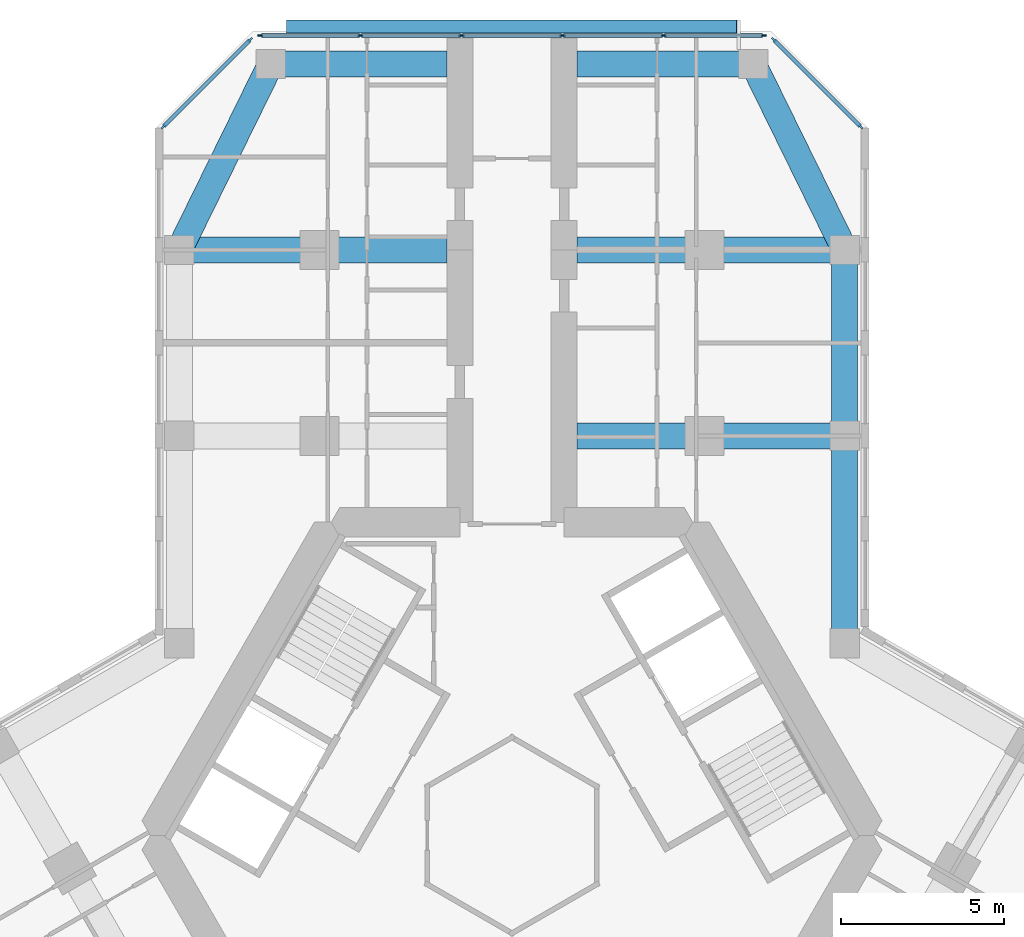
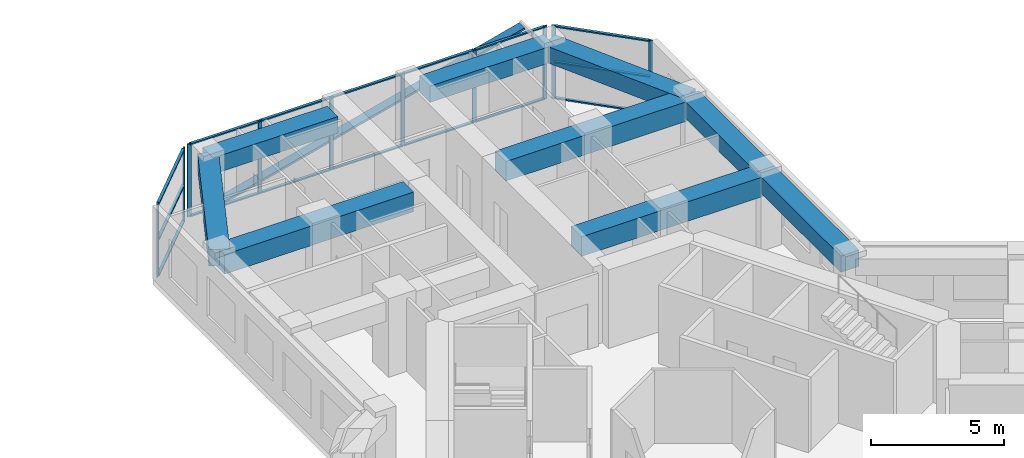
# One storey, part 7 of 19: 27 members, 9 beams, 3 elements without a shape of their own.
"""IFC4 building model written with IfcOpenShell, lengths in metres."""

import ifcopenshell
import ifcopenshell.guid

model = None  # the IFC model being written
_history = None  # IfcOwnerHistory: only IFC2X3 demands one
_inside = {}  # id of a spatial element -> (the spatial element, [elements in it])
_under = {}  # id of a project, library or spatial element -> (it, [spatial elements below it])
_declared = {}  # id of a project -> (the project, [libraries it declares])
_typed = {}  # id of a type object -> (the type object, [elements of that type])
_made_of = {}  # id of a material, layer set ... -> (it, [elements and type objects made of it])


def new_model(schema):
    """Start an empty IFC model of exactly this schema.

    Asked for "IFC4X3", IfcOpenShell would pick the latest addendum, in which some entities
    have other attributes; the version numbers below select the first issue.
    IFC2X3 requires an IfcOwnerHistory on every rooted entity: one is made here for all.
    """
    global model, _history
    if schema == "IFC4X3":
        model = ifcopenshell.file(schema_version=(4, 3, 0, 0))
    else:
        model = ifcopenshell.file(schema=schema)
    _inside.clear()
    _under.clear()
    _declared.clear()
    _typed.clear()
    _made_of.clear()
    _history = None
    if model.schema == "IFC2X3":
        org = make("IfcOrganization", Name="unknown")
        user = make(
            "IfcPersonAndOrganization",
            ThePerson=make("IfcPerson", FamilyName="unknown"),
            TheOrganization=org,
        )
        app = make(
            "IfcApplication",
            ApplicationDeveloper=org,
            Version="unknown",
            ApplicationFullName="unknown",
            ApplicationIdentifier="unknown",
        )
        _history = make(
            "IfcOwnerHistory",
            OwningUser=user,
            OwningApplication=app,
            ChangeAction="ADDED",
            CreationDate=0,
        )
    return model


def make(cls, **values):
    """One entity of the class cls with the attributes given. An attribute that is None is left unset."""
    return model.create_entity(
        cls, **{name: value for name, value in values.items() if value is not None}
    )


def rooted(cls, **values):
    """An entity with a GlobalId (a new one), such as an element, a storey or a relation."""
    return make(cls, GlobalId=ifcopenshell.guid.new(), OwnerHistory=_history, **values)


def si_unit(unit_type, name, prefix=None):
    """IfcSIUnit, for example si_unit("LENGTHUNIT", "METRE", prefix="MILLI")."""
    return make("IfcSIUnit", UnitType=unit_type, Prefix=prefix, Name=name)


def assignment(units):
    """IfcUnitAssignment: the units of a project."""
    return None if units is None else make("IfcUnitAssignment", Units=units)


def point(xyz):
    """IfcCartesianPoint."""
    return None if xyz is None else make("IfcCartesianPoint", Coordinates=xyz)


def direction(xyz):
    """IfcDirection."""
    return None if xyz is None else make("IfcDirection", DirectionRatios=xyz)


def frame(location, z_axis=None, x_axis=None):
    """IfcAxis2Placement3D, a coordinate frame: its origin and axes. An axis left out is left unset."""
    return make(
        "IfcAxis2Placement3D",
        Location=point(location),
        Axis=direction(z_axis),
        RefDirection=direction(x_axis),
    )


def frame_2d(location, x_axis=None):
    """IfcAxis2Placement2D, a coordinate frame in the plane: its origin and x axis."""
    return make(
        "IfcAxis2Placement2D", Location=point(location), RefDirection=direction(x_axis)
    )


def origin():
    """The frame at (0, 0, 0) with its axes left unset."""
    return frame((0.0, 0.0, 0.0))


def origin_2d():
    """The frame at (0, 0) in the plane with its x axis left unset."""
    return frame_2d((0.0, 0.0))


def place(relative_to, where):
    """IfcLocalPlacement: puts the frame where relative to a parent placement (None: the world)."""
    return make(
        "IfcLocalPlacement", PlacementRelTo=relative_to, RelativePlacement=where
    )


def context(
    kind, dimensions, precision=None, world=None, true_north=None, identifier=None
):
    """IfcGeometricRepresentationContext, for example the 3D "Model" context."""
    return make(
        "IfcGeometricRepresentationContext",
        ContextIdentifier=identifier,
        ContextType=kind,
        CoordinateSpaceDimension=dimensions,
        Precision=precision,
        WorldCoordinateSystem=world,
        TrueNorth=true_north,
    )


def subcontext(parent, identifier, kind, view, scale=None):
    """IfcGeometricRepresentationSubContext, for example "Body" below "Model"."""
    return make(
        "IfcGeometricRepresentationSubContext",
        ContextIdentifier=identifier,
        ContextType=kind,
        ParentContext=parent,
        TargetScale=scale,
        TargetView=view,
    )


def project(units=None, contexts=None):
    """IfcProject with its units and contexts."""
    return rooted(
        "IfcProject",
        Name="project",
        RepresentationContexts=contexts,
        UnitsInContext=assignment(units),
    )


def spatial(cls, under=None, at=None, **own):
    """A site, building, storey or space (cls), placed at a placement, below another one or the project."""
    s = rooted(cls, ObjectPlacement=at, **own)
    if under is not None:
        _under.setdefault(under.id(), (under, []))[1].append(s)
    return s


def profile(cls, at=None, kind="AREA", **sizes):
    """A parametric profile (cls). Its sizes go by their IFC names, for example OverallWidth=200.0."""
    return make(cls, ProfileType=kind, Position=at, **sizes)


def rectangle(**sizes):
    """IfcRectangleProfileDef."""
    return profile("IfcRectangleProfileDef", **sizes)


def extrude(swept, where, along, depth):
    """IfcExtrudedAreaSolid: the profile swept, set in the frame where, extruded along a direction by depth."""
    return make(
        "IfcExtrudedAreaSolid",
        SweptArea=swept,
        Position=where,
        ExtrudedDirection=direction(along),
        Depth=depth,
    )


def shape(context_of_items, identifier, shape_type, items):
    """IfcShapeRepresentation: the items that make up one representation, for example the "Body"."""
    return make(
        "IfcShapeRepresentation",
        ContextOfItems=context_of_items,
        RepresentationIdentifier=identifier,
        RepresentationType=shape_type,
        Items=items,
    )


def material(Name=None, Category=None):
    """IfcMaterial."""
    return make("IfcMaterial", Name=Name, Category=Category)


def material_profile(
    of_material, cross_section, Name=None, Category=None, Priority=None
):
    """IfcMaterialProfile: a cross section and its material."""
    return make(
        "IfcMaterialProfile",
        Name=Name,
        Material=of_material,
        Profile=cross_section,
        Priority=Priority,
        Category=Category,
    )


def profile_set(profiles, Name=None, composite=None):
    """IfcMaterialProfileSet."""
    return make(
        "IfcMaterialProfileSet",
        Name=Name,
        MaterialProfiles=profiles,
        CompositeProfile=composite,
    )


def made_of(thing, what):
    """Note that an element or type object is made of a material, layer set ...; save() writes the relation."""
    if what is not None:
        _made_of.setdefault(what.id(), (what, []))[1].append(thing)
    return thing


def type_object(cls, material=None, **own):
    """A type object (cls), such as IfcWallType, which elements share."""
    return made_of(rooted(cls, **own), material)


def element(
    cls,
    number,
    at=None,
    inside=None,
    cuts=None,
    type_object=None,
    material=None,
    context=None,
    identifier="Body",
    shape_type=None,
    held_by="IfcProductDefinitionShape",
    body=None,
    shapes=None,
    **own,
):
    """One element of the class cls, such as IfcWall. Its Tag is "e" and its number.

    at: its placement. inside: the storey or other place that contains it. cuts: it is an
    opening in that element (IfcRelVoidsElement). A single representation is given by context,
    identifier, shape_type and body (its items); several are given by shapes. held_by: the class
    of the entity that holds the representations. save() writes the other relations.
    """
    e = rooted(cls, Tag="e%d" % number, ObjectPlacement=at, **own)
    if body is not None:
        shapes = [shape(context, identifier, shape_type, body)]
    if shapes is not None:
        e.Representation = make(held_by, Representations=shapes)
    if inside is not None:
        _inside.setdefault(inside.id(), (inside, []))[1].append(e)
    if cuts is not None:
        rooted(
            "IfcRelVoidsElement", RelatingBuildingElement=cuts, RelatedOpeningElement=e
        )
    if type_object is not None:
        _typed.setdefault(type_object.id(), (type_object, []))[1].append(e)
    return made_of(e, material)


def aggregate(whole, parts):
    """IfcRelAggregates: a whole, such as a stair, and the parts it consists of."""
    return rooted("IfcRelAggregates", RelatingObject=whole, RelatedObjects=parts)


def save(model, path):
    """Write the relations noted so far, then the file.

    IfcRelAggregates (storeys below a building ...), IfcRelContainedInSpatialStructure (elements
    in a storey), IfcRelDefinesByType, IfcRelAssociatesMaterial and IfcRelDeclares: one each for
    every whole, place, type object, material and project.
    """
    for whole, parts in _under.values():
        aggregate(whole, parts)
    for where, things in _inside.values():
        rooted(
            "IfcRelContainedInSpatialStructure",
            RelatedElements=things,
            RelatingStructure=where,
        )
    for kind, things in _typed.values():
        rooted("IfcRelDefinesByType", RelatedObjects=things, RelatingType=kind)
    for what, things in _made_of.values():
        rooted("IfcRelAssociatesMaterial", RelatedObjects=things, RelatingMaterial=what)
    for by, libraries in _declared.values():
        rooted("IfcRelDeclares", RelatingContext=by, RelatedDefinitions=libraries)
    model.write(path)


model = new_model("IFC4")

# Units and contexts
model_context = context("Model", 3, precision=1e-05, world=origin(), true_north=direction((0.0, 1.0)))
body_context = subcontext(model_context, "Body", "Model", "MODEL_VIEW")
ifc_project = project(units=[si_unit("LENGTHUNIT", "METRE"), si_unit("AREAUNIT", "SQUARE_METRE"), si_unit("VOLUMEUNIT", "CUBIC_METRE"), si_unit("PLANEANGLEUNIT", "RADIAN"), si_unit("MASSUNIT", "GRAM", prefix="KILO")], contexts=[model_context])

# Site, building, storey
site_placement = place(None, origin())
site = spatial("IfcSite", under=ifc_project, at=site_placement, CompositionType="ELEMENT")
building_placement = place(site_placement, origin())
building = spatial("IfcBuilding", under=site, at=building_placement, Name="Kosmar Iwan School Tower", CompositionType="ELEMENT")
storey_placement = place(building_placement, frame((0.0, 0.0, 158.0)))
storey = spatial("IfcBuildingStorey", under=building, at=storey_placement, Name="L39", CompositionType="ELEMENT", Elevation=158.0)

# Member
ifc_material_1 = material(Name="Black anodised aluminium", Category="aluminium")
ifc_material_profile_1 = material_profile(ifc_material_1, rectangle(XDim=0.10009765625, YDim=0.39990234375, at=origin_2d()), Name="FIN 100x400")
ifc_profile_set_1 = profile_set([ifc_material_profile_1], Name="Black anodised aluminium")
member_type_1 = type_object("IfcMemberType", Name="Diagonal fin 100x400", PredefinedType="USERDEFINED", material=ifc_profile_set_1)
member_1_placement = place(storey_placement, frame((-6.898193359375, 24.800048828125, -0.14990234375), z_axis=(0.967603633438, 0.0, 0.252474174041), x_axis=(-0.252474174041, 0.0, 0.967603633438)))
element("IfcMember", 1, at=member_1_placement, inside=storey, type_object=member_type_1, Name="Diagonal fin L39-F08", ObjectType="FIN", PredefinedType="USERDEFINED", context=body_context, shape_type="SweptSolid", body=[
    extrude(rectangle(XDim=0.10009765625, YDim=0.39990234375, at=origin_2d()), origin(), (0.0, 0.0, 1.0), 14.25830078125),
])

# Curtain wall, members
ifc_material_2 = material(Name="Dark glass in black aluminium frame", Category="aluminium")
curtain_wall_type_1 = type_object("IfcCurtainWallType", Name="Chamfer curtain wall dark glass", PredefinedType="USERDEFINED", material=ifc_material_2)
curtain_wall_1_placement = place(storey_placement, origin())
curtain_wall_1 = element("IfcCurtainWall", 2, at=curtain_wall_1_placement, inside=storey, type_object=curtain_wall_type_1, Name="Curtain wall L39-F07", ObjectType="FACETED CURTAIN WALL", PredefinedType="USERDEFINED")
ifc_material_3 = material(Name="Black anodised aluminium", Category="aluminium")
ifc_material_profile_2 = material_profile(ifc_material_3, rectangle(XDim=0.06005859375, YDim=0.159912109375, at=origin_2d()), Name="MULLION 60x160")
ifc_profile_set_2 = profile_set([ifc_material_profile_2], Name="Black anodised aluminium")
member_type_2 = type_object("IfcMemberType", Name="Mullion 60x160", PredefinedType="MULLION", material=ifc_profile_set_2)
member_2_placement = place(storey_placement, frame((10.69775390625, 21.7255859375, 0.0), z_axis=(0.0, 0.0, 1.0), x_axis=(-0.707106781187, -0.707106781187, 0.0)))
member_2 = element("IfcMember", 3, at=member_2_placement, type_object=member_type_2, Name="CW2 mullion 1", PredefinedType="MULLION", context=body_context, shape_type="SweptSolid", body=[
    extrude(rectangle(XDim=0.06005859375, YDim=0.159912109375, at=origin_2d()), origin(), (0.0, 0.0, 1.0), 3.35009765625),
])
member_3_placement = place(storey_placement, frame((8.025390625, 24.397705078125, 0.0), z_axis=(0.0, 0.0, 1.0), x_axis=(-0.707106781187, -0.707106781187, 0.0)))
member_3 = element("IfcMember", 4, at=member_3_placement, type_object=member_type_2, Name="CW2 mullion 2", PredefinedType="MULLION", context=body_context, shape_type="SweptSolid", body=[
    extrude(rectangle(XDim=0.06005859375, YDim=0.159912109375, at=origin_2d()), origin(), (0.0, 0.0, 1.0), 3.35009765625),
])

ifc_material_4 = material(Name="Dark glass in black aluminium frame", Category="aluminium")
curtain_wall_type_2 = type_object("IfcCurtainWallType", Name="Tower curtain wall dark glass", PredefinedType="USERDEFINED", material=ifc_material_4)
curtain_wall_2_placement = place(storey_placement, origin())
curtain_wall_2 = element("IfcCurtainWall", 5, at=curtain_wall_2_placement, inside=storey, type_object=curtain_wall_type_2, Name="Curtain wall L39-F08", ObjectType="UNITISED CURTAIN WALL", PredefinedType="USERDEFINED")
member_4_placement = place(storey_placement, frame((7.71826171875, 24.52490234375, 0.0), z_axis=(0.0, 0.0, 1.0), x_axis=(0.0, -1.0, 0.0)))
member_4 = element("IfcMember", 6, at=member_4_placement, type_object=member_type_2, Name="CW1 mullion 1", PredefinedType="MULLION", context=body_context, shape_type="SweptSolid", body=[
    extrude(rectangle(XDim=0.06005859375, YDim=0.159912109375, at=origin_2d()), origin(), (0.0, 0.0, 1.0), 3.35009765625),
])
member_5_placement = place(storey_placement, frame((4.64892578125, 24.52490234375, 0.0), z_axis=(0.0, 0.0, 1.0), x_axis=(0.0, -1.0, 0.0)))
member_5 = element("IfcMember", 7, at=member_5_placement, type_object=member_type_2, Name="CW1 mullion 2", PredefinedType="MULLION", context=body_context, shape_type="SweptSolid", body=[
    extrude(rectangle(XDim=0.06005859375, YDim=0.159912109375, at=origin_2d()), origin(), (0.0, 0.0, 1.0), 3.35009765625),
])
member_6_placement = place(storey_placement, frame((1.549560546875, 24.52490234375, 0.0), z_axis=(0.0, 0.0, 1.0), x_axis=(0.0, -1.0, 0.0)))
member_6 = element("IfcMember", 8, at=member_6_placement, type_object=member_type_2, Name="CW1 mullion 3", PredefinedType="MULLION", context=body_context, shape_type="SweptSolid", body=[
    extrude(rectangle(XDim=0.06005859375, YDim=0.159912109375, at=origin_2d()), origin(), (0.0, 0.0, 1.0), 3.35009765625),
])
member_7_placement = place(storey_placement, frame((-1.549560546875, 24.52490234375, 0.0), z_axis=(0.0, 0.0, 1.0), x_axis=(0.0, -1.0, 0.0)))
member_7 = element("IfcMember", 9, at=member_7_placement, type_object=member_type_2, Name="CW1 mullion 4", PredefinedType="MULLION", context=body_context, shape_type="SweptSolid", body=[
    extrude(rectangle(XDim=0.06005859375, YDim=0.159912109375, at=origin_2d()), origin(), (0.0, 0.0, 1.0), 3.35009765625),
])
member_8_placement = place(storey_placement, frame((-4.64892578125, 24.52490234375, 0.0), z_axis=(0.0, 0.0, 1.0), x_axis=(0.0, -1.0, 0.0)))
member_8 = element("IfcMember", 10, at=member_8_placement, type_object=member_type_2, Name="CW1 mullion 5", PredefinedType="MULLION", context=body_context, shape_type="SweptSolid", body=[
    extrude(rectangle(XDim=0.06005859375, YDim=0.159912109375, at=origin_2d()), origin(), (0.0, 0.0, 1.0), 3.35009765625),
])
member_9_placement = place(storey_placement, frame((-7.71826171875, 24.52490234375, 0.0), z_axis=(0.0, 0.0, 1.0), x_axis=(0.0, -1.0, 0.0)))
member_9 = element("IfcMember", 11, at=member_9_placement, type_object=member_type_2, Name="CW1 mullion 6", PredefinedType="MULLION", context=body_context, shape_type="SweptSolid", body=[
    extrude(rectangle(XDim=0.06005859375, YDim=0.159912109375, at=origin_2d()), origin(), (0.0, 0.0, 1.0), 3.35009765625),
])

curtain_wall_3_placement = place(storey_placement, origin())
curtain_wall_3 = element("IfcCurtainWall", 12, at=curtain_wall_3_placement, inside=storey, type_object=curtain_wall_type_1, Name="Curtain wall L39-F09", ObjectType="FACETED CURTAIN WALL", PredefinedType="USERDEFINED")
member_10_placement = place(storey_placement, frame((-8.025390625, 24.397705078125, 0.0), z_axis=(0.0, 0.0, 1.0), x_axis=(0.707106781187, -0.707106781187, 0.0)))
member_10 = element("IfcMember", 13, at=member_10_placement, type_object=member_type_2, Name="CW2 mullion 1", PredefinedType="MULLION", context=body_context, shape_type="SweptSolid", body=[
    extrude(rectangle(XDim=0.06005859375, YDim=0.159912109375, at=origin_2d()), origin(), (0.0, 0.0, 1.0), 3.35009765625),
])
member_11_placement = place(storey_placement, frame((-10.69775390625, 21.7255859375, 0.0), z_axis=(0.0, 0.0, 1.0), x_axis=(0.707106781187, -0.707106781187, 0.0)))
member_11 = element("IfcMember", 14, at=member_11_placement, type_object=member_type_2, Name="CW2 mullion 2", PredefinedType="MULLION", context=body_context, shape_type="SweptSolid", body=[
    extrude(rectangle(XDim=0.06005859375, YDim=0.159912109375, at=origin_2d()), origin(), (0.0, 0.0, 1.0), 3.35009765625),
])

# Beams
ifc_material_5 = material(Name="Concrete C50/60", Category="concrete")
ifc_material_profile_3 = material_profile(ifc_material_5, rectangle(XDim=0.800048828125, YDim=0.75, at=origin_2d()), Name="RC 800x750")
ifc_profile_set_3 = profile_set([ifc_material_profile_3], Name="Concrete C50/60")
beam_type_1 = type_object("IfcBeamType", Name="RC edge beam 800x750", PredefinedType="BEAM", material=ifc_profile_set_3)
beam_1_placement = place(storey_placement, frame((10.199951171875, 5.888916015625, 2.97509765625), z_axis=(0.0, 1.0, 0.0), x_axis=(-1.0, 0.0, 0.0)))
element("IfcBeam", 15, at=beam_1_placement, inside=storey, type_object=beam_type_1, Name="Edge beam AR1", PredefinedType="BEAM", context=body_context, shape_type="SweptSolid", body=[
    extrude(rectangle(XDim=0.800048828125, YDim=0.75, at=origin_2d()), origin(), (0.0, 0.0, 1.0), 6.361083984375),
])
beam_2_placement = place(storey_placement, frame((10.199951171875, 12.25, 2.97509765625), z_axis=(0.0, 1.0, 0.0), x_axis=(-1.0, 0.0, 0.0)))
element("IfcBeam", 16, at=beam_2_placement, inside=storey, type_object=beam_type_1, Name="Edge beam AR2", PredefinedType="BEAM", context=body_context, shape_type="SweptSolid", body=[
    extrude(rectangle(XDim=0.800048828125, YDim=0.75, at=origin_2d()), origin(), (0.0, 0.0, 1.0), 5.699951171875),
])
ifc_material_6 = material(Name="Concrete C50/60", Category="concrete")
ifc_material_profile_4 = material_profile(ifc_material_6, rectangle(XDim=0.800048828125, YDim=0.75, at=origin_2d()), Name="RC 800x750")
ifc_profile_set_4 = profile_set([ifc_material_profile_4], Name="Concrete C50/60")
beam_type_2 = type_object("IfcBeamType", Name="RC tip beam 800x750", PredefinedType="BEAM", material=ifc_profile_set_4)
beam_3_placement = place(storey_placement, frame((-10.199951171875, 17.949951171875, 2.97509765625), z_axis=(0.440913116462, 0.897549788999, 0.0), x_axis=(-0.897549788999, 0.440913116462, 0.0)))
element("IfcBeam", 17, at=beam_3_placement, inside=storey, type_object=beam_type_2, Name="Tip beam AL", PredefinedType="BEAM", context=body_context, shape_type="SweptSolid", body=[
    extrude(rectangle(XDim=0.800048828125, YDim=0.75, at=origin_2d()), origin(), (0.0, 0.0, 1.0), 6.3505859375),
])
beam_4_placement = place(storey_placement, frame((-7.39990234375, 23.64990234375, 2.97509765625), z_axis=(1.0, 0.0, 0.0), x_axis=(0.0, 1.0, 0.0)))
element("IfcBeam", 18, at=beam_4_placement, inside=storey, type_object=beam_type_2, Name="Tip beam AL to corridor wall", PredefinedType="BEAM", context=body_context, shape_type="SweptSolid", body=[
    extrude(rectangle(XDim=0.800048828125, YDim=0.75, at=origin_2d()), origin(), (0.0, 0.0, 1.0), 5.39990234375),
])
beam_5_placement = place(storey_placement, frame((10.199951171875, 17.949951171875, 2.97509765625), z_axis=(-0.440913116462, 0.897549788999, 0.0), x_axis=(-0.897549788999, -0.440913116462, 0.0)))
element("IfcBeam", 19, at=beam_5_placement, inside=storey, type_object=beam_type_2, Name="Tip beam AR", PredefinedType="BEAM", context=body_context, shape_type="SweptSolid", body=[
    extrude(rectangle(XDim=0.800048828125, YDim=0.75, at=origin_2d()), origin(), (0.0, 0.0, 1.0), 6.3505859375),
])
beam_6_placement = place(storey_placement, frame((7.39990234375, 23.64990234375, 2.97509765625), z_axis=(-1.0, 0.0, 0.0), x_axis=(0.0, -1.0, 0.0)))
element("IfcBeam", 20, at=beam_6_placement, inside=storey, type_object=beam_type_2, Name="Tip beam AR to corridor wall", PredefinedType="BEAM", context=body_context, shape_type="SweptSolid", body=[
    extrude(rectangle(XDim=0.800048828125, YDim=0.75, at=origin_2d()), origin(), (0.0, 0.0, 1.0), 5.39990234375),
])
ifc_material_7 = material(Name="Concrete C50/60", Category="concrete")
ifc_material_profile_5 = material_profile(ifc_material_7, rectangle(XDim=0.800048828125, YDim=0.89990234375, at=origin_2d()), Name="RC 800x900")
ifc_profile_set_5 = profile_set([ifc_material_profile_5], Name="Concrete C50/60")
beam_type_3 = type_object("IfcBeamType", Name="RC transverse beam 800x900", PredefinedType="BEAM", material=ifc_profile_set_5)
for number, where, z_axis, x_axis, name in (
    (21, (-10.199951171875, 17.949951171875, 2.89990234375), (1.0, 0.0, 0.0), (0.0, 1.0, 0.0), "Transverse beam AL2"),
    (22, (10.199951171875, 12.25, 2.89990234375), (-1.0, 0.0, 0.0), (0.0, -1.0, 0.0), "Transverse beam AR1"),
    (23, (10.199951171875, 17.949951171875, 2.89990234375), (-1.0, 0.0, 0.0), (0.0, -1.0, 0.0), "Transverse beam AR2"),
):
    element("IfcBeam", number, at=place(storey_placement, frame(where, z_axis=z_axis, x_axis=x_axis)), inside=storey, type_object=beam_type_3, Name=name, PredefinedType="BEAM", context=body_context, shape_type="SweptSolid", body=[
        extrude(rectangle(XDim=0.800048828125, YDim=0.89990234375, at=origin_2d()), origin(), (0.0, 0.0, 1.0), 8.199951171875),
    ])

# Member
ifc_material_8 = material(Name="Black anodised aluminium", Category="aluminium")
ifc_material_profile_6 = material_profile(ifc_material_8, rectangle(XDim=0.1201171875, YDim=0.06005859375, at=origin_2d()), Name="TRANSOM 60x120")
ifc_profile_set_6 = profile_set([ifc_material_profile_6], Name="Black anodised aluminium")
member_type_3 = type_object("IfcMemberType", Name="Transom 60x120", PredefinedType="USERDEFINED", material=ifc_profile_set_6)
member_12_placement = place(storey_placement, frame((10.676513671875, 21.746826171875, 0.030029296875), z_axis=(-0.707139603466, 0.707073957383, 0.0), x_axis=(-0.707073957383, -0.707139603466, 0.0)))
member_12 = element("IfcMember", 24, at=member_12_placement, type_object=member_type_3, Name="CW2 transom 1.1", ObjectType="TRANSOM", PredefinedType="USERDEFINED", context=body_context, shape_type="SweptSolid", body=[
    extrude(rectangle(XDim=0.1201171875, YDim=0.06005859375, at=origin_2d()), origin(), (0.0, 0.0, 1.0), 3.718994140625),
])

member_13_placement = place(storey_placement, frame((10.676513671875, 21.746826171875, 1.675048828125), z_axis=(-0.707139603466, 0.707073957383, 0.0), x_axis=(-0.707073957383, -0.707139603466, 0.0)))
member_13 = element("IfcMember", 25, at=member_13_placement, type_object=member_type_3, Name="CW2 transom 1.2", ObjectType="TRANSOM", PredefinedType="USERDEFINED", context=body_context, shape_type="SweptSolid", body=[
    extrude(rectangle(XDim=0.1201171875, YDim=0.06005859375, at=origin_2d()), origin(), (0.0, 0.0, 1.0), 3.718994140625),
])

member_14_placement = place(storey_placement, frame((10.676513671875, 21.746826171875, 3.320068359375), z_axis=(-0.707139603466, 0.707073957383, 0.0), x_axis=(-0.707073957383, -0.707139603466, 0.0)))
member_14 = element("IfcMember", 26, at=member_14_placement, type_object=member_type_3, Name="CW2 transom 1.3", ObjectType="TRANSOM", PredefinedType="USERDEFINED", context=body_context, shape_type="SweptSolid", body=[
    extrude(rectangle(XDim=0.1201171875, YDim=0.06005859375, at=origin_2d()), origin(), (0.0, 0.0, 1.0), 3.718994140625),
])

aggregate(curtain_wall_1, [member_2, member_3, member_12, member_13, member_14])

member_15_placement = place(storey_placement, frame((7.688232421875, 24.52490234375, 0.030029296875), z_axis=(-1.0, 0.0, 0.0), x_axis=(0.0, -1.0, 0.0)))
member_15 = element("IfcMember", 27, at=member_15_placement, type_object=member_type_3, Name="CW1 transom 1.1", ObjectType="TRANSOM", PredefinedType="USERDEFINED", context=body_context, shape_type="SweptSolid", body=[
    extrude(rectangle(XDim=0.1201171875, YDim=0.06005859375, at=origin_2d()), origin(), (0.0, 0.0, 1.0), 3.00927734375),
])

member_16_placement = place(storey_placement, frame((7.688232421875, 24.52490234375, 3.320068359375), z_axis=(-1.0, 0.0, 0.0), x_axis=(0.0, -1.0, 0.0)))
member_16 = element("IfcMember", 28, at=member_16_placement, type_object=member_type_3, Name="CW1 transom 1.2", ObjectType="TRANSOM", PredefinedType="USERDEFINED", context=body_context, shape_type="SweptSolid", body=[
    extrude(rectangle(XDim=0.1201171875, YDim=0.06005859375, at=origin_2d()), origin(), (0.0, 0.0, 1.0), 3.00927734375),
])

member_17_placement = place(storey_placement, frame((4.618896484375, 24.52490234375, 0.030029296875), z_axis=(-1.0, 0.0, 0.0), x_axis=(0.0, -1.0, 0.0)))
member_17 = element("IfcMember", 29, at=member_17_placement, type_object=member_type_3, Name="CW1 transom 2.1", ObjectType="TRANSOM", PredefinedType="USERDEFINED", context=body_context, shape_type="SweptSolid", body=[
    extrude(rectangle(XDim=0.1201171875, YDim=0.06005859375, at=origin_2d()), origin(), (0.0, 0.0, 1.0), 3.039306640625),
])

member_18_placement = place(storey_placement, frame((4.618896484375, 24.52490234375, 3.320068359375), z_axis=(-1.0, 0.0, 0.0), x_axis=(0.0, -1.0, 0.0)))
member_18 = element("IfcMember", 30, at=member_18_placement, type_object=member_type_3, Name="CW1 transom 2.2", ObjectType="TRANSOM", PredefinedType="USERDEFINED", context=body_context, shape_type="SweptSolid", body=[
    extrude(rectangle(XDim=0.1201171875, YDim=0.06005859375, at=origin_2d()), origin(), (0.0, 0.0, 1.0), 3.039306640625),
])

member_19_placement = place(storey_placement, frame((1.51953125, 24.52490234375, 0.030029296875), z_axis=(-1.0, 0.0, 0.0), x_axis=(0.0, -1.0, 0.0)))
member_19 = element("IfcMember", 31, at=member_19_placement, type_object=member_type_3, Name="CW1 transom 3.1", ObjectType="TRANSOM", PredefinedType="USERDEFINED", context=body_context, shape_type="SweptSolid", body=[
    extrude(rectangle(XDim=0.1201171875, YDim=0.06005859375, at=origin_2d()), origin(), (0.0, 0.0, 1.0), 3.0390625),
])

member_20_placement = place(storey_placement, frame((1.51953125, 24.52490234375, 3.320068359375), z_axis=(-1.0, 0.0, 0.0), x_axis=(0.0, -1.0, 0.0)))
member_20 = element("IfcMember", 32, at=member_20_placement, type_object=member_type_3, Name="CW1 transom 3.2", ObjectType="TRANSOM", PredefinedType="USERDEFINED", context=body_context, shape_type="SweptSolid", body=[
    extrude(rectangle(XDim=0.1201171875, YDim=0.06005859375, at=origin_2d()), origin(), (0.0, 0.0, 1.0), 3.0390625),
])

member_21_placement = place(storey_placement, frame((-1.57958984375, 24.52490234375, 0.030029296875), z_axis=(-1.0, 0.0, 0.0), x_axis=(0.0, -1.0, 0.0)))
member_21 = element("IfcMember", 33, at=member_21_placement, type_object=member_type_3, Name="CW1 transom 4.1", ObjectType="TRANSOM", PredefinedType="USERDEFINED", context=body_context, shape_type="SweptSolid", body=[
    extrude(rectangle(XDim=0.1201171875, YDim=0.06005859375, at=origin_2d()), origin(), (0.0, 0.0, 1.0), 3.039306640625),
])

member_22_placement = place(storey_placement, frame((-1.57958984375, 24.52490234375, 3.320068359375), z_axis=(-1.0, 0.0, 0.0), x_axis=(0.0, -1.0, 0.0)))
member_22 = element("IfcMember", 34, at=member_22_placement, type_object=member_type_3, Name="CW1 transom 4.2", ObjectType="TRANSOM", PredefinedType="USERDEFINED", context=body_context, shape_type="SweptSolid", body=[
    extrude(rectangle(XDim=0.1201171875, YDim=0.06005859375, at=origin_2d()), origin(), (0.0, 0.0, 1.0), 3.039306640625),
])

member_23_placement = place(storey_placement, frame((-4.678955078125, 24.52490234375, 0.030029296875), z_axis=(-1.0, 0.0, 0.0), x_axis=(0.0, -1.0, 0.0)))
member_23 = element("IfcMember", 35, at=member_23_placement, type_object=member_type_3, Name="CW1 transom 5.1", ObjectType="TRANSOM", PredefinedType="USERDEFINED", context=body_context, shape_type="SweptSolid", body=[
    extrude(rectangle(XDim=0.1201171875, YDim=0.06005859375, at=origin_2d()), origin(), (0.0, 0.0, 1.0), 3.00927734375),
])

member_24_placement = place(storey_placement, frame((-4.678955078125, 24.52490234375, 3.320068359375), z_axis=(-1.0, 0.0, 0.0), x_axis=(0.0, -1.0, 0.0)))
member_24 = element("IfcMember", 36, at=member_24_placement, type_object=member_type_3, Name="CW1 transom 5.2", ObjectType="TRANSOM", PredefinedType="USERDEFINED", context=body_context, shape_type="SweptSolid", body=[
    extrude(rectangle(XDim=0.1201171875, YDim=0.06005859375, at=origin_2d()), origin(), (0.0, 0.0, 1.0), 3.00927734375),
])

aggregate(curtain_wall_2, [member_4, member_5, member_6, member_7, member_8, member_9, member_15, member_16, member_17, member_18, member_19, member_20, member_21, member_22, member_23, member_24])

member_25_placement = place(storey_placement, frame((-8.046630859375, 24.37646484375, 0.030029296875), z_axis=(-0.707139603466, -0.707073957383, 0.0), x_axis=(0.707073957383, -0.707139603466, 0.0)))
member_25 = element("IfcMember", 37, at=member_25_placement, type_object=member_type_3, Name="CW2 transom 1.1", ObjectType="TRANSOM", PredefinedType="USERDEFINED", context=body_context, shape_type="SweptSolid", body=[
    extrude(rectangle(XDim=0.1201171875, YDim=0.06005859375, at=origin_2d()), origin(), (0.0, 0.0, 1.0), 3.718994140625),
])

member_26_placement = place(storey_placement, frame((-8.046630859375, 24.37646484375, 1.675048828125), z_axis=(-0.707139603466, -0.707073957383, 0.0), x_axis=(0.707073957383, -0.707139603466, 0.0)))
member_26 = element("IfcMember", 38, at=member_26_placement, type_object=member_type_3, Name="CW2 transom 1.2", ObjectType="TRANSOM", PredefinedType="USERDEFINED", context=body_context, shape_type="SweptSolid", body=[
    extrude(rectangle(XDim=0.1201171875, YDim=0.06005859375, at=origin_2d()), origin(), (0.0, 0.0, 1.0), 3.718994140625),
])

member_27_placement = place(storey_placement, frame((-8.046630859375, 24.37646484375, 3.320068359375), z_axis=(-0.707139603466, -0.707073957383, 0.0), x_axis=(0.707073957383, -0.707139603466, 0.0)))
member_27 = element("IfcMember", 39, at=member_27_placement, type_object=member_type_3, Name="CW2 transom 1.3", ObjectType="TRANSOM", PredefinedType="USERDEFINED", context=body_context, shape_type="SweptSolid", body=[
    extrude(rectangle(XDim=0.1201171875, YDim=0.06005859375, at=origin_2d()), origin(), (0.0, 0.0, 1.0), 3.718994140625),
])

aggregate(curtain_wall_3, [member_10, member_11, member_25, member_26, member_27])

save(model, "model.ifc")
